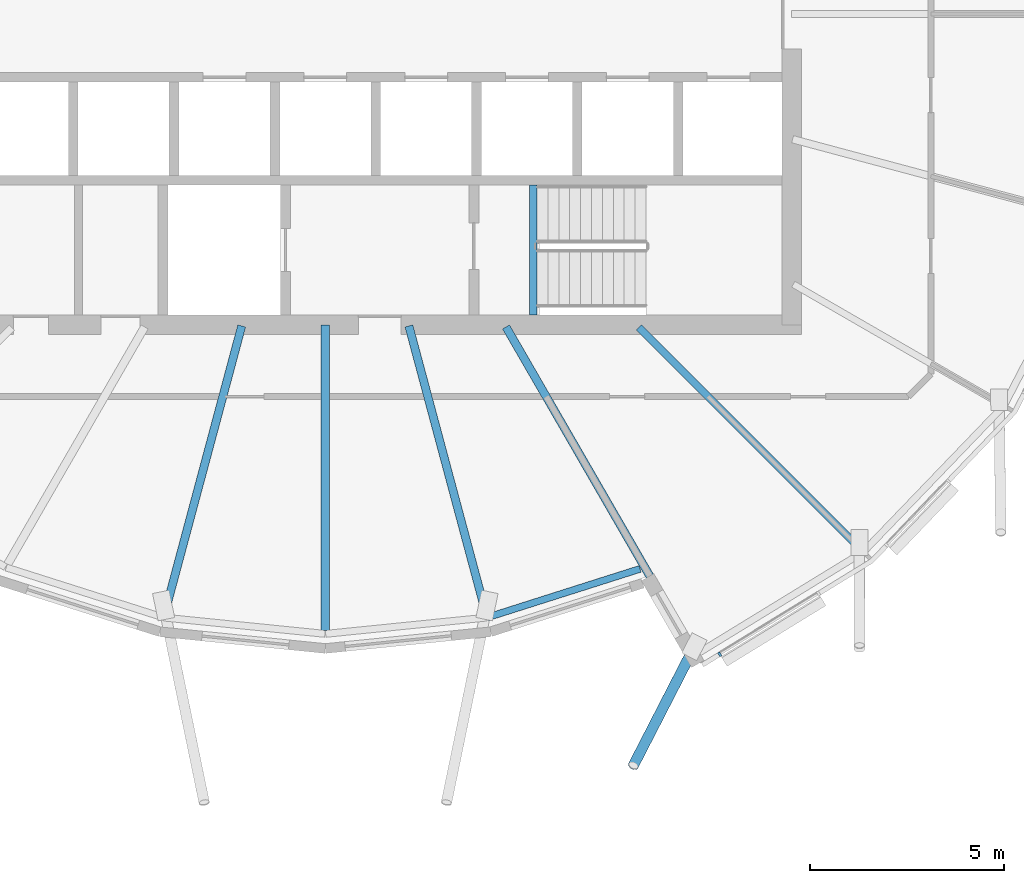
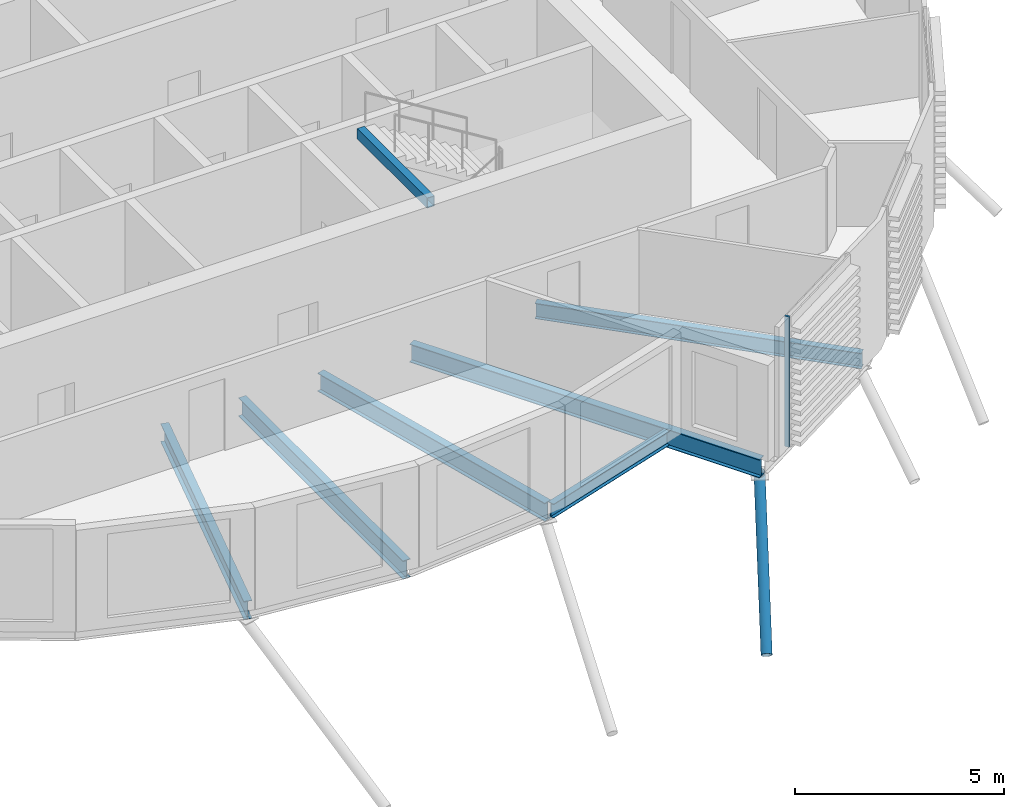
# One storey, part 4 of 38: 7 beams, 2 members, 1 element without a shape of its own.
"""IFC4 building model written with IfcOpenShell, lengths in metres."""

from ifc_helpers import new_model, si_unit, direction, frame, origin, origin_2d, place, context, subcontext, project, spatial, rectangle, hollow_rectangle, hollow_circle, i_section, extrude, clip, halfspace, material, material_profile, profile_set, type_object, element, aggregate, save


model = new_model("IFC4")

# Units and contexts
model_context = context("Model", 3, precision=1e-05, world=origin(), true_north=direction((0.0, 1.0)))
body_context = subcontext(model_context, "Body", "Model", "MODEL_VIEW")
ifc_project = project(units=[si_unit("LENGTHUNIT", "METRE"), si_unit("AREAUNIT", "SQUARE_METRE"), si_unit("VOLUMEUNIT", "CUBIC_METRE"), si_unit("PLANEANGLEUNIT", "RADIAN"), si_unit("MASSUNIT", "GRAM", prefix="KILO")], contexts=[model_context])

# Site, building, storey
site_placement = place(None, origin())
site = spatial("IfcSite", under=ifc_project, at=site_placement, CompositionType="ELEMENT")
building_placement = place(site_placement, origin())
building = spatial("IfcBuilding", under=site, at=building_placement, Name="Rimbun Link Towers", CompositionType="ELEMENT")
storey_placement = place(building_placement, frame((0.0, 0.0, 218.10009765625)))
storey = spatial("IfcBuildingStorey", under=building, at=storey_placement, Name="L53", CompositionType="ELEMENT", Elevation=218.10009765625)

# Curtain wall, member
ifc_material_1 = material(Name="Aluminium 6063-T6 and low-iron glass", Category="aluminium")
curtain_wall_type = type_object("IfcCurtainWallType", Name="CW1-Z4 unitised vision wall (zone 4)", PredefinedType="NOTDEFINED", material=ifc_material_1)
curtain_wall_placement = place(storey_placement, origin())
curtain_wall = element("IfcCurtainWall", 1, at=curtain_wall_placement, inside=storey, type_object=curtain_wall_type, Name="CW1 L53 T1", PredefinedType="NOTDEFINED")
ifc_material_2 = material(Name="Aluminium 6063-T6", Category="aluminium")
ifc_material_profile_1 = material_profile(ifc_material_2, rectangle(XDim=0.1201171875, YDim=0.06005859375, at=origin_2d()), Name="MULLION 60X120")
ifc_profile_set_1 = profile_set([ifc_material_profile_1], Name="Aluminium 6063-T6")
member_type_1 = type_object("IfcMemberType", Name="CW1 mullion 60X120", PredefinedType="MULLION", material=ifc_profile_set_1)
member_1_placement = place(storey_placement, frame((-21.60009765625, -16.47705078125, 0.0), z_axis=(0.0, 0.0, 1.0), x_axis=(0.523242195727, -0.852184020392, 0.0)))
member_1 = element("IfcMember", 2, at=member_1_placement, type_object=member_type_1, Name="CW1 mullion", PredefinedType="MULLION", context=body_context, shape_type="SweptSolid", body=[
    extrude(rectangle(XDim=0.1201171875, YDim=0.06005859375, at=origin_2d()), origin(), (0.0, 0.0, 1.0), 3.7998046875),
])
aggregate(curtain_wall, [member_1])

# Member
ifc_material_3 = material(Name="Steel S355J2H", Category="steel")
ifc_material_profile_2 = material_profile(ifc_material_3, hollow_circle(Radius=0.136474609375, WallThickness=0.012451171875, at=origin_2d()), Name="CHS 273x12.5")
ifc_profile_set_2 = profile_set([ifc_material_profile_2], Name="Steel S355J2H")
member_type_2 = type_object("IfcMemberType", Name="Floor edge link CHS 273x12.5", PredefinedType="BRACE", material=ifc_profile_set_2)
member_2_placement = place(storey_placement, frame((-22.298095703125, -16.371337890625, -0.7783203125), z_axis=(-0.350552766242, -0.682407892126, -0.641429830023), x_axis=(0.889499690845, -0.456935772278, 0.0)))
element("IfcMember", 3, at=member_2_placement, inside=storey, type_object=member_type_2, Name="Floor edge link T1 L53 20", PredefinedType="BRACE", context=body_context, shape_type="Clipping", body=[
    clip(extrude(hollow_circle(Radius=0.136474609375, WallThickness=0.012451171875, at=origin_2d()), frame((0.0, 0.0, -0.342041015625)), (0.0, 0.0, 1.0), 4.703125), halfspace(frame((0.0, 0.0, -0.160888671875), z_axis=(0.0, 0.767181708043, -0.641429830023)), False)),
])

# Beams
ifc_material_4 = material(Name="Steel S355J2", Category="steel")
ifc_material_profile_3 = material_profile(ifc_material_4, hollow_rectangle(XDim=0.199951171875, YDim=0.300048828125, WallThickness=0.011962890625, at=origin_2d()), Name="BOX 300x200x12")
ifc_profile_set_3 = profile_set([ifc_material_profile_3], Name="Steel S355J2")
beam_type_1 = type_object("IfcBeamType", Name="Stair trimmer beam BOX 300x200x12", PredefinedType="BEAM", material=ifc_profile_set_3)
beam_1_placement = place(storey_placement, frame((-26.39990234375, -7.75, 3.510009765625), z_axis=(0.0, 1.0, 0.0), x_axis=(-1.0, 0.0, 0.0)))
element("IfcBeam", 4, at=beam_1_placement, inside=storey, type_object=beam_type_1, Name="L53 ST2 stair beam 1", PredefinedType="BEAM", context=body_context, shape_type="SweptSolid", body=[
    extrude(hollow_rectangle(XDim=0.199951171875, YDim=0.300048828125, WallThickness=0.011962890625, at=origin_2d()), origin(), (0.0, 0.0, 1.0), 3.35009765625),
])
ifc_material_5 = material(Name="Steel S355J2", Category="steel")
ifc_material_profile_4 = material_profile(ifc_material_5, i_section(OverallWidth=0.177978515625, OverallDepth=0.406494140625, WebThickness=0.0078125, FlangeThickness=0.0126953125, at=origin_2d()), Name="UB 406x178x60")
ifc_profile_set_4 = profile_set([ifc_material_profile_4], Name="Steel S355J2")
beam_type_2 = type_object("IfcBeamType", Name="UB 406x178x60", PredefinedType="BEAM", material=ifc_profile_set_4)
beam_2_placement = place(storey_placement, frame((-27.57861328125, -15.528564453125, -0.34326171875), z_axis=(0.952980207737, 0.30303254555, 0.0), x_axis=(-0.30303254555, 0.952980207737, 0.0)))
element("IfcBeam", 5, at=beam_2_placement, inside=storey, type_object=beam_type_2, Name="Edge beam T1 L53 19 recess", PredefinedType="BEAM", context=body_context, shape_type="SweptSolid", body=[
    extrude(i_section(OverallWidth=0.177978515625, OverallDepth=0.406494140625, WebThickness=0.0078125, FlangeThickness=0.0126953125, at=origin_2d()), origin(), (0.0, 0.0, 1.0), 4.12255859375),
])
ifc_material_6 = material(Name="Steel S355J2", Category="steel")
ifc_material_profile_5 = material_profile(ifc_material_6, i_section(OverallWidth=0.18994140625, OverallDepth=0.453369140625, WebThickness=0.008544921875, FlangeThickness=0.0126953125, at=origin_2d()), Name="UB 457x191x67")
ifc_profile_set_5 = profile_set([ifc_material_profile_5], Name="Steel S355J2")
beam_type_3 = type_object("IfcBeamType", Name="UB 457x191x67", PredefinedType="BEAM", material=ifc_profile_set_5)
beam_3_placement = place(storey_placement, frame((-23.68212890625, -8.06787109375, -0.36669921875), z_axis=(0.707106781187, -0.707106781187, 0.0), x_axis=(0.707106781187, 0.707106781187, 0.0)))
element("IfcBeam", 6, at=beam_3_placement, inside=storey, type_object=beam_type_3, Name="Radial beam T1 L53 21", PredefinedType="BEAM", context=body_context, shape_type="SweptSolid", body=[
    extrude(i_section(OverallWidth=0.18994140625, OverallDepth=0.453369140625, WebThickness=0.008544921875, FlangeThickness=0.0126953125, at=origin_2d()), origin(), (0.0, 0.0, 1.0), 8.079345703125),
])
ifc_material_7 = material(Name="Steel S355J2", Category="steel")
ifc_material_profile_6 = material_profile(ifc_material_7, i_section(OverallWidth=0.209228515625, OverallDepth=0.533203125, WebThickness=0.010009765625, FlangeThickness=0.015625, at=origin_2d()), Name="UB 533x210x92")
ifc_profile_set_6 = profile_set([ifc_material_profile_6], Name="Steel S355J2")
beam_type_4 = type_object("IfcBeamType", Name="UB 533x210x92", PredefinedType="BEAM", material=ifc_profile_set_6)
beam_4_placement = place(storey_placement, frame((-33.901123046875, -8.028076171875, -0.406494140625), z_axis=(-0.258826148296, -0.965923922966, 0.0), x_axis=(0.965923922966, -0.258826148296, 0.0)))
element("IfcBeam", 7, at=beam_4_placement, inside=storey, type_object=beam_type_4, Name="Radial beam T1 L53 17", PredefinedType="BEAM", context=body_context, shape_type="SweptSolid", body=[
    extrude(i_section(OverallWidth=0.209228515625, OverallDepth=0.533203125, WebThickness=0.010009765625, FlangeThickness=0.015625, at=origin_2d()), origin(), (0.0, 0.0, 1.0), 7.67822265625),
])
beam_5_placement = place(storey_placement, frame((-31.75, -8.0009765625, -0.406494140625), z_axis=(0.0, -1.0, 0.0), x_axis=(1.0, 0.0, 0.0)))
element("IfcBeam", 8, at=beam_5_placement, inside=storey, type_object=beam_type_4, Name="Radial beam T1 L53 18", PredefinedType="BEAM", context=body_context, shape_type="SweptSolid", body=[
    extrude(i_section(OverallWidth=0.209228515625, OverallDepth=0.533203125, WebThickness=0.010009765625, FlangeThickness=0.015625, at=origin_2d()), origin(), (0.0, 0.0, 1.0), 7.861572265625),
])
beam_6_placement = place(storey_placement, frame((-29.598876953125, -8.028076171875, -0.406494140625), z_axis=(0.258826148296, -0.965923922966, 0.0), x_axis=(0.965923922966, 0.258826148296, 0.0)))
element("IfcBeam", 9, at=beam_6_placement, inside=storey, type_object=beam_type_4, Name="Radial beam T1 L53 19", PredefinedType="BEAM", context=body_context, shape_type="SweptSolid", body=[
    extrude(i_section(OverallWidth=0.209228515625, OverallDepth=0.533203125, WebThickness=0.010009765625, FlangeThickness=0.015625, at=origin_2d()), origin(), (0.0, 0.0, 1.0), 7.67822265625),
])
beam_7_placement = place(storey_placement, frame((-27.1005859375, -8.05322265625, -0.406494140625), z_axis=(0.500006270241, -0.866021783629, 0.0), x_axis=(0.866021783629, 0.500006270241, 0.0)))
element("IfcBeam", 10, at=beam_7_placement, inside=storey, type_object=beam_type_4, Name="Radial beam T1 L53 20", PredefinedType="BEAM", context=body_context, shape_type="SweptSolid", body=[
    extrude(i_section(OverallWidth=0.209228515625, OverallDepth=0.533203125, WebThickness=0.010009765625, FlangeThickness=0.015625, at=origin_2d()), origin(), (0.0, 0.0, 1.0), 9.6552734375),
])

save(model, "model.ifc")
